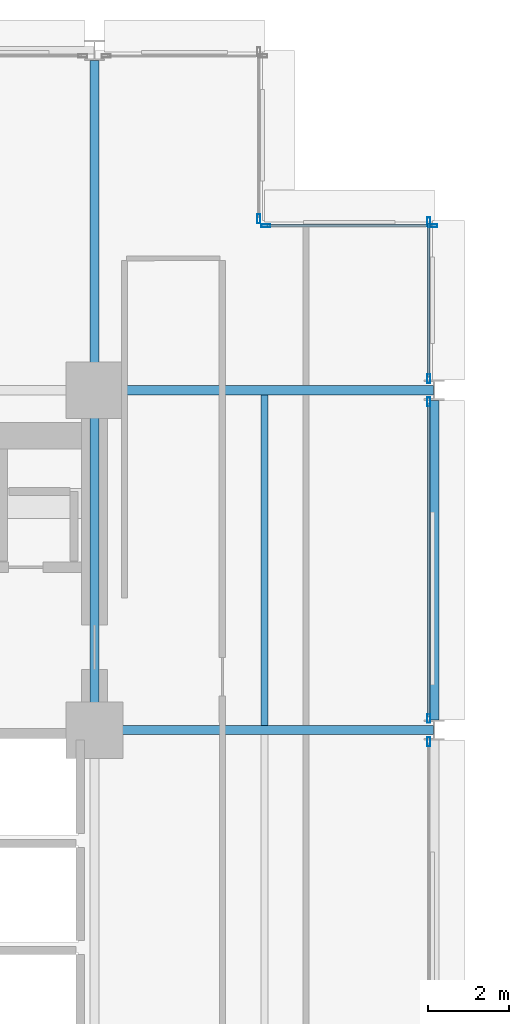
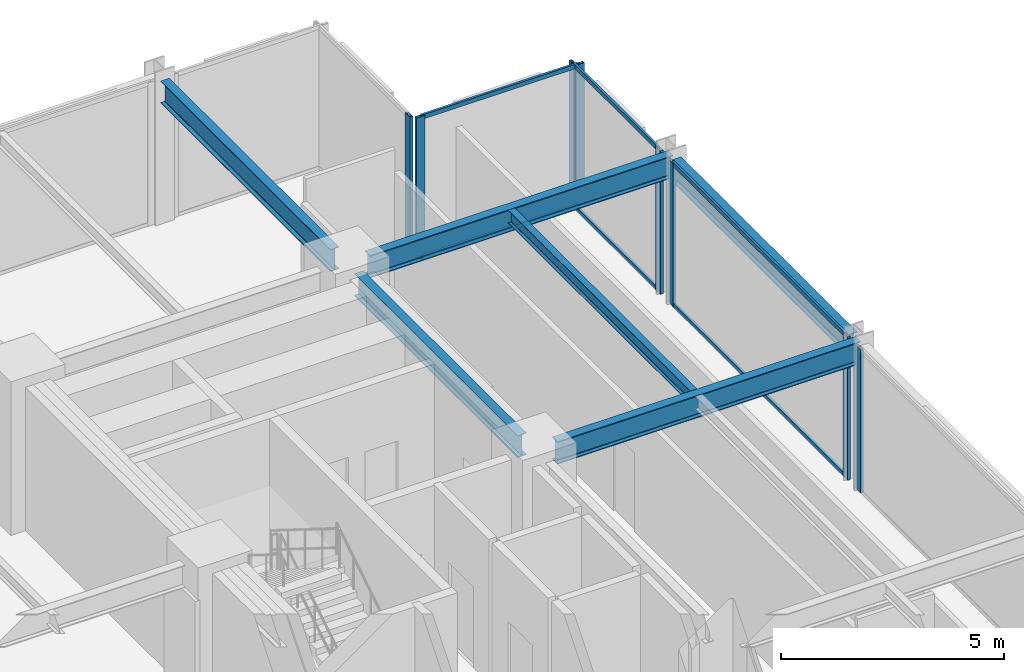
# One storey, part 18 of 27: 14 members, 6 beams, 5 elements without a shape of their own.
"""IFC4 building model written with IfcOpenShell, lengths in metres."""

from ifc_helpers import new_model, si_unit, direction, frame, origin, origin_2d, place, context, subcontext, project, spatial, hollow_rectangle, i_section, extrude, material, layer, layer_set, material_profile, profile_set, type_object, element, aggregate, save


model = new_model("IFC4")

# Units and contexts
model_context = context("Model", 3, precision=1e-05, world=origin(), true_north=direction((0.0, 1.0)))
body_context = subcontext(model_context, "Body", "Model", "MODEL_VIEW")
ifc_project = project(units=[si_unit("LENGTHUNIT", "METRE"), si_unit("AREAUNIT", "SQUARE_METRE"), si_unit("VOLUMEUNIT", "CUBIC_METRE"), si_unit("PLANEANGLEUNIT", "RADIAN"), si_unit("MASSUNIT", "GRAM", prefix="KILO")], contexts=[model_context])

# Site, building, storey
site_placement = place(None, origin())
site = spatial("IfcSite", under=ifc_project, at=site_placement, CompositionType="ELEMENT")
building_placement = place(site_placement, origin())
building = spatial("IfcBuilding", under=site, at=building_placement, Name="Nerrivon Quay Data Exchange", CompositionType="ELEMENT")
storey_placement = place(building_placement, frame((0.0, 0.0, 66.800048828125)))
storey = spatial("IfcBuildingStorey", under=building, at=storey_placement, Name="L15", CompositionType="ELEMENT", Elevation=66.800048828125)

# Beams
ifc_material_1 = material(Name="Steel Grade 350", Category="steel")
ifc_material_profile_1 = material_profile(ifc_material_1, i_section(OverallWidth=0.22900390625, OverallDepth=0.612060546875, WebThickness=0.011962890625, FlangeThickness=0.01953125, FilletRadius=0.013916015625, at=origin_2d()), Name="610UB125")
ifc_profile_set_1 = profile_set([ifc_material_profile_1], Name="Steel Grade 350")
beam_type_1 = type_object("IfcBeamType", Name="BM-G1-610UB125", PredefinedType="BEAM", material=ifc_profile_set_1)
for number, where, z_axis, x_axis, name in (
    (1, (17.340087890625, 33.60009765625, 3.618896484375), (1.0, 0.0, 0.0), (0.0, 1.0, 0.0), "L15 EW Girder Y=33.6 (16.8..25.2)"),
    (2, (17.340087890625, 42.0, 3.618896484375), (1.0, 0.0, 0.0), (0.0, 1.0, 0.0), "L15 EW Girder Y=42.0 (16.8..25.2)"),
):
    element("IfcBeam", number, at=place(storey_placement, frame(where, z_axis=z_axis, x_axis=x_axis)), inside=storey, type_object=beam_type_1, Name=name, PredefinedType="BEAM", context=body_context, shape_type="SweptSolid", body=[
        extrude(i_section(OverallWidth=0.22900390625, OverallDepth=0.612060546875, WebThickness=0.011962890625, FlangeThickness=0.01953125, FilletRadius=0.013916015625, at=origin_2d()), origin(), (0.0, 0.0, 1.0), 7.845947265625),
    ])
ifc_material_profile_2 = material_profile(ifc_material_1, i_section(OverallWidth=0.22802734375, OverallDepth=0.60205078125, WebThickness=0.010498046875, FlangeThickness=0.014892578125, FilletRadius=0.013916015625, at=origin_2d()), Name="610UB101")
ifc_profile_set_2 = profile_set([ifc_material_profile_2], Name="Steel Grade 350")
beam_type_2 = type_object("IfcBeamType", Name="BM-G2-610UB101", PredefinedType="BEAM", material=ifc_profile_set_2)
beam_1_placement = place(storey_placement, frame((16.800048828125, 34.139892578125, 3.6240234375), z_axis=(0.0, 1.0, 0.0), x_axis=(-1.0, 0.0, 0.0)))
element("IfcBeam", 3, at=beam_1_placement, inside=storey, type_object=beam_type_2, Name="L15 NS Girder X=16.8 (33.6..42.0)", PredefinedType="BEAM", context=body_context, shape_type="SweptSolid", body=[
    extrude(i_section(OverallWidth=0.22802734375, OverallDepth=0.60205078125, WebThickness=0.010498046875, FlangeThickness=0.014892578125, FilletRadius=0.013916015625, at=origin_2d()), origin(), (0.0, 0.0, 1.0), 7.320068359375),
])
beam_2_placement = place(storey_placement, frame((16.800048828125, 42.5400390625, 3.6240234375), z_axis=(0.0, 1.0, 0.0), x_axis=(-1.0, 0.0, 0.0)))
element("IfcBeam", 4, at=beam_2_placement, inside=storey, type_object=beam_type_2, Name="L15 NS Girder X=16.8 (42.0..50.4)", PredefinedType="BEAM", context=body_context, shape_type="SweptSolid", body=[
    extrude(i_section(OverallWidth=0.22802734375, OverallDepth=0.60205078125, WebThickness=0.010498046875, FlangeThickness=0.014892578125, FilletRadius=0.013916015625, at=origin_2d()), origin(), (0.0, 0.0, 1.0), 7.60986328125),
])
beam_3_placement = place(storey_placement, frame((25.199951171875, 33.85009765625, 3.6240234375), z_axis=(0.0, 1.0, 0.0), x_axis=(-1.0, 0.0, 0.0)))
element("IfcBeam", 5, at=beam_3_placement, inside=storey, type_object=beam_type_2, Name="L15 NS Girder X=25.2 (33.6..42.0)", PredefinedType="BEAM", context=body_context, shape_type="SweptSolid", body=[
    extrude(i_section(OverallWidth=0.22802734375, OverallDepth=0.60205078125, WebThickness=0.010498046875, FlangeThickness=0.014892578125, FilletRadius=0.013916015625, at=origin_2d()), origin(), (0.0, 0.0, 1.0), 7.89990234375),
])
ifc_material_profile_3 = material_profile(ifc_material_1, i_section(OverallWidth=0.172119140625, OverallDepth=0.35888671875, WebThickness=0.008056640625, FlangeThickness=0.012939453125, FilletRadius=0.011474609375, at=origin_2d()), Name="360UB56.7")
ifc_profile_set_3 = profile_set([ifc_material_profile_3], Name="Steel Grade 350")
beam_type_3 = type_object("IfcBeamType", Name="BM-J3-360UB57", PredefinedType="JOIST", material=ifc_profile_set_3)
beam_4_placement = place(storey_placement, frame((21.0, 33.714599609375, 3.745361328125), z_axis=(0.0, 1.0, 0.0), x_axis=(-1.0, 0.0, 0.0)))
element("IfcBeam", 6, at=beam_4_placement, inside=storey, type_object=beam_type_3, Name="L15 Secondary Joist X=21.0 (33.6..42.0)", PredefinedType="JOIST", context=body_context, shape_type="SweptSolid", body=[
    extrude(i_section(OverallWidth=0.172119140625, OverallDepth=0.35888671875, WebThickness=0.008056640625, FlangeThickness=0.012939453125, FilletRadius=0.011474609375, at=origin_2d()), origin(), (0.0, 0.0, 1.0), 8.1708984375),
])

# Curtain wall, member
ifc_material_2 = material(Name="Anodised aluminium 6063-T6", Category="aluminium")
ifc_layer = layer(ifc_material_2, 0.219970703125)
ifc_layer_set = layer_set([ifc_layer], Name="Anodised aluminium 6063-T6")
curtain_wall_type = type_object("IfcCurtainWallType", Name="CW-SYS-01", PredefinedType="NOTDEFINED", material=ifc_layer_set)
curtain_wall_1_placement = place(storey_placement, origin())
curtain_wall_1 = element("IfcCurtainWall", 7, at=curtain_wall_1_placement, inside=storey, type_object=curtain_wall_type, Name="L15 Unitised Curtain Wall 27", PredefinedType="NOTDEFINED")
ifc_material_profile_4 = material_profile(ifc_material_2, hollow_rectangle(XDim=0.074951171875, YDim=0.219970703125, WallThickness=0.00390625, at=origin_2d()), Name="ALU-MULL-220x75")
ifc_profile_set_4 = profile_set([ifc_material_profile_4], Name="Anodised aluminium 6063-T6")
member_type_1 = type_object("IfcMemberType", Name="CWM-220x75", PredefinedType="MULLION", material=ifc_profile_set_4)
member_1_placement = place(storey_placement, frame((20.860107421875, 46.237548828125, 0.0), z_axis=(0.0, 0.0, 1.0), x_axis=(1.0, 0.0, 0.0)))
member_1 = element("IfcMember", 8, at=member_1_placement, type_object=member_type_1, Name="CW01 mullion 2", PredefinedType="MULLION", context=body_context, shape_type="SweptSolid", body=[
    extrude(hollow_rectangle(XDim=0.074951171875, YDim=0.219970703125, WallThickness=0.00390625, at=origin_2d()), origin(), (0.0, 0.0, 1.0), 3.925048828125),
])
aggregate(curtain_wall_1, [member_1])

# Curtain wall, members
curtain_wall_2_placement = place(storey_placement, origin())
curtain_wall_2 = element("IfcCurtainWall", 9, at=curtain_wall_2_placement, inside=storey, type_object=curtain_wall_type, Name="L15 Unitised Curtain Wall 28", PredefinedType="NOTDEFINED")
member_2_placement = place(storey_placement, frame((21.03759765625, 46.06005859375, 0.0), z_axis=(0.0, 0.0, 1.0), x_axis=(0.0, 1.0, 0.0)))
member_2 = element("IfcMember", 10, at=member_2_placement, type_object=member_type_1, Name="CW01 mullion 1", PredefinedType="MULLION", context=body_context, shape_type="SweptSolid", body=[
    extrude(hollow_rectangle(XDim=0.074951171875, YDim=0.219970703125, WallThickness=0.00390625, at=origin_2d()), origin(), (0.0, 0.0, 1.0), 3.925048828125),
])
member_3_placement = place(storey_placement, frame((25.16259765625, 46.06005859375, 0.0), z_axis=(0.0, 0.0, 1.0), x_axis=(0.0, 1.0, 0.0)))
member_3 = element("IfcMember", 11, at=member_3_placement, type_object=member_type_1, Name="CW01 mullion 2", PredefinedType="MULLION", context=body_context, shape_type="SweptSolid", body=[
    extrude(hollow_rectangle(XDim=0.074951171875, YDim=0.219970703125, WallThickness=0.00390625, at=origin_2d()), origin(), (0.0, 0.0, 1.0), 3.925048828125),
])

curtain_wall_3_placement = place(storey_placement, origin())
curtain_wall_3 = element("IfcCurtainWall", 12, at=curtain_wall_3_placement, inside=storey, type_object=curtain_wall_type, Name="L15 Unitised Curtain Wall 29", PredefinedType="NOTDEFINED")
member_4_placement = place(storey_placement, frame((25.06005859375, 46.16259765625, 0.0), z_axis=(0.0, 0.0, 1.0), x_axis=(1.0, 0.0, 0.0)))
member_4 = element("IfcMember", 13, at=member_4_placement, type_object=member_type_1, Name="CW01 mullion 1", PredefinedType="MULLION", context=body_context, shape_type="SweptSolid", body=[
    extrude(hollow_rectangle(XDim=0.074951171875, YDim=0.219970703125, WallThickness=0.00390625, at=origin_2d()), origin(), (0.0, 0.0, 1.0), 3.925048828125),
])
member_5_placement = place(storey_placement, frame((25.06005859375, 42.28759765625, 0.0), z_axis=(0.0, 0.0, 1.0), x_axis=(1.0, 0.0, 0.0)))
member_5 = element("IfcMember", 14, at=member_5_placement, type_object=member_type_1, Name="CW01 mullion 2", PredefinedType="MULLION", context=body_context, shape_type="SweptSolid", body=[
    extrude(hollow_rectangle(XDim=0.074951171875, YDim=0.219970703125, WallThickness=0.00390625, at=origin_2d()), origin(), (0.0, 0.0, 1.0), 3.925048828125),
])

curtain_wall_4_placement = place(storey_placement, origin())
curtain_wall_4 = element("IfcCurtainWall", 15, at=curtain_wall_4_placement, inside=storey, type_object=curtain_wall_type, Name="L15 Unitised Curtain Wall 30", PredefinedType="NOTDEFINED")
member_6_placement = place(storey_placement, frame((25.06005859375, 41.71240234375, 0.0), z_axis=(0.0, 0.0, 1.0), x_axis=(1.0, 0.0, 0.0)))
member_6 = element("IfcMember", 16, at=member_6_placement, type_object=member_type_1, Name="CW01 mullion 1", PredefinedType="MULLION", context=body_context, shape_type="SweptSolid", body=[
    extrude(hollow_rectangle(XDim=0.074951171875, YDim=0.219970703125, WallThickness=0.00390625, at=origin_2d()), origin(), (0.0, 0.0, 1.0), 3.925048828125),
])
member_7_placement = place(storey_placement, frame((25.06005859375, 33.887451171875, 0.0), z_axis=(0.0, 0.0, 1.0), x_axis=(1.0, 0.0, 0.0)))
member_7 = element("IfcMember", 17, at=member_7_placement, type_object=member_type_1, Name="CW01 mullion 2", PredefinedType="MULLION", context=body_context, shape_type="SweptSolid", body=[
    extrude(hollow_rectangle(XDim=0.074951171875, YDim=0.219970703125, WallThickness=0.00390625, at=origin_2d()), origin(), (0.0, 0.0, 1.0), 3.925048828125),
])

# Curtain wall, member
curtain_wall_5_placement = place(storey_placement, origin())
curtain_wall_5 = element("IfcCurtainWall", 18, at=curtain_wall_5_placement, inside=storey, type_object=curtain_wall_type, Name="L15 Unitised Curtain Wall 31", PredefinedType="NOTDEFINED")
member_8_placement = place(storey_placement, frame((25.06005859375, 33.3125, 0.0), z_axis=(0.0, 0.0, 1.0), x_axis=(1.0, 0.0, 0.0)))
member_8 = element("IfcMember", 19, at=member_8_placement, type_object=member_type_1, Name="CW01 mullion 1", PredefinedType="MULLION", context=body_context, shape_type="SweptSolid", body=[
    extrude(hollow_rectangle(XDim=0.074951171875, YDim=0.219970703125, WallThickness=0.00390625, at=origin_2d()), origin(), (0.0, 0.0, 1.0), 3.925048828125),
])
aggregate(curtain_wall_5, [member_8])

# Member
ifc_material_profile_5 = material_profile(ifc_material_2, hollow_rectangle(XDim=0.06005859375, YDim=0.1201171875, WallThickness=0.003173828125, at=origin_2d()), Name="ALU-TRAN-120x60")
ifc_profile_set_5 = profile_set([ifc_material_profile_5], Name="Anodised aluminium 6063-T6")
member_type_2 = type_object("IfcMemberType", Name="CWT-120x60", PredefinedType="USERDEFINED", material=ifc_profile_set_5)
member_9_placement = place(storey_placement, frame((21.074951171875, 46.06005859375, 0.032470703125), z_axis=(1.0, 0.0, 0.0), x_axis=(0.0, 1.0, 0.0)))
member_9 = element("IfcMember", 20, at=member_9_placement, type_object=member_type_2, Name="CW01 transom 1.1", ObjectType="TRANSOM", PredefinedType="USERDEFINED", context=body_context, shape_type="SweptSolid", body=[
    extrude(hollow_rectangle(XDim=0.06005859375, YDim=0.1201171875, WallThickness=0.003173828125, at=origin_2d()), origin(), (0.0, 0.0, 1.0), 4.050048828125),
])

member_10_placement = place(storey_placement, frame((21.074951171875, 46.06005859375, 3.892333984375), z_axis=(1.0, 0.0, 0.0), x_axis=(0.0, 1.0, 0.0)))
member_10 = element("IfcMember", 21, at=member_10_placement, type_object=member_type_2, Name="CW01 transom 1.2", ObjectType="TRANSOM", PredefinedType="USERDEFINED", context=body_context, shape_type="SweptSolid", body=[
    extrude(hollow_rectangle(XDim=0.06005859375, YDim=0.1201171875, WallThickness=0.003173828125, at=origin_2d()), origin(), (0.0, 0.0, 1.0), 4.050048828125),
])

aggregate(curtain_wall_2, [member_2, member_3, member_9, member_10])

member_11_placement = place(storey_placement, frame((25.06005859375, 46.125, 0.032470703125), z_axis=(0.0, -1.0, 0.0), x_axis=(1.0, 0.0, 0.0)))
member_11 = element("IfcMember", 22, at=member_11_placement, type_object=member_type_2, Name="CW01 transom 1.1", ObjectType="TRANSOM", PredefinedType="USERDEFINED", context=body_context, shape_type="SweptSolid", body=[
    extrude(hollow_rectangle(XDim=0.06005859375, YDim=0.1201171875, WallThickness=0.003173828125, at=origin_2d()), origin(), (0.0, 0.0, 1.0), 3.800048828125),
])

member_12_placement = place(storey_placement, frame((25.06005859375, 46.125, 3.892333984375), z_axis=(0.0, -1.0, 0.0), x_axis=(1.0, 0.0, 0.0)))
member_12 = element("IfcMember", 23, at=member_12_placement, type_object=member_type_2, Name="CW01 transom 1.2", ObjectType="TRANSOM", PredefinedType="USERDEFINED", context=body_context, shape_type="SweptSolid", body=[
    extrude(hollow_rectangle(XDim=0.06005859375, YDim=0.1201171875, WallThickness=0.003173828125, at=origin_2d()), origin(), (0.0, 0.0, 1.0), 3.800048828125),
])

aggregate(curtain_wall_3, [member_4, member_5, member_11, member_12])

member_13_placement = place(storey_placement, frame((25.06005859375, 41.675048828125, 0.032470703125), z_axis=(0.0, -1.0, 0.0), x_axis=(1.0, 0.0, 0.0)))
member_13 = element("IfcMember", 24, at=member_13_placement, type_object=member_type_2, Name="CW01 transom 1.1", ObjectType="TRANSOM", PredefinedType="USERDEFINED", context=body_context, shape_type="SweptSolid", body=[
    extrude(hollow_rectangle(XDim=0.06005859375, YDim=0.1201171875, WallThickness=0.003173828125, at=origin_2d()), origin(), (0.0, 0.0, 1.0), 7.75),
])

member_14_placement = place(storey_placement, frame((25.06005859375, 41.675048828125, 3.892333984375), z_axis=(0.0, -1.0, 0.0), x_axis=(1.0, 0.0, 0.0)))
member_14 = element("IfcMember", 25, at=member_14_placement, type_object=member_type_2, Name="CW01 transom 1.2", ObjectType="TRANSOM", PredefinedType="USERDEFINED", context=body_context, shape_type="SweptSolid", body=[
    extrude(hollow_rectangle(XDim=0.06005859375, YDim=0.1201171875, WallThickness=0.003173828125, at=origin_2d()), origin(), (0.0, 0.0, 1.0), 7.75),
])

aggregate(curtain_wall_4, [member_6, member_7, member_13, member_14])

save(model, "model.ifc")
